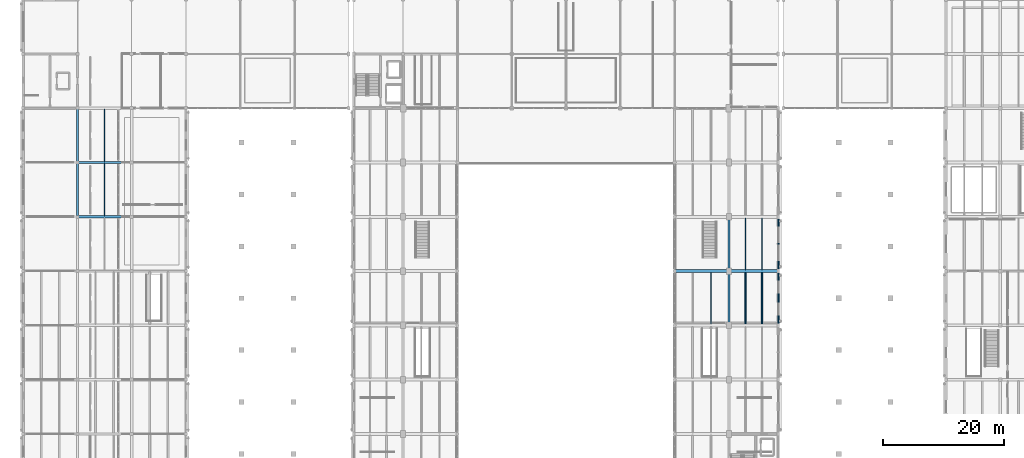
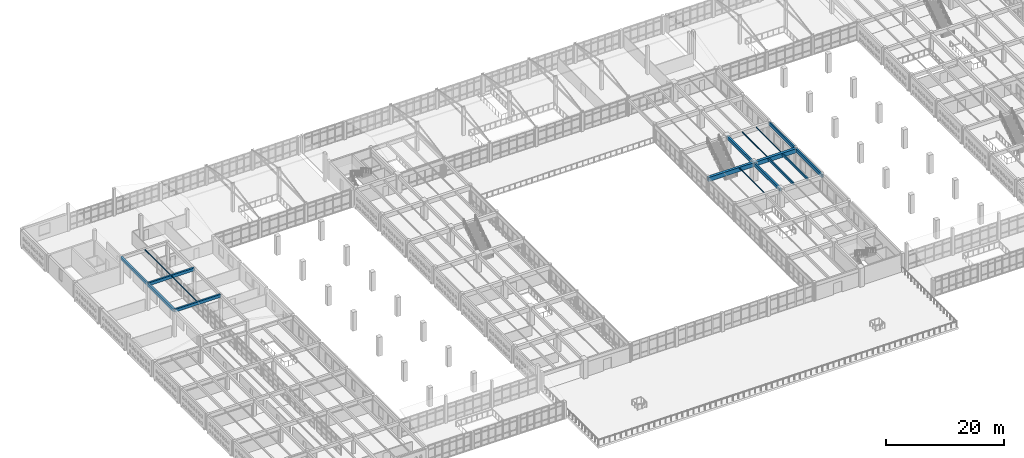
# One storey, part 41 of 156: 17 beams.
"""IFC4 building model written with IfcOpenShell, lengths in metres."""

from ifc_helpers import new_model, si_unit, direction, frame, origin, origin_2d, place, context, subcontext, project, spatial, rectangle, i_section, extrude, material, material_profile, profile_set, type_object, element, save


model = new_model("IFC4")

# Units and contexts
model_context = context("Model", 3, precision=1e-05, world=origin(), true_north=direction((0.0, 1.0)))
body_context = subcontext(model_context, "Body", "Model", "MODEL_VIEW")
ifc_project = project(units=[si_unit("LENGTHUNIT", "METRE"), si_unit("AREAUNIT", "SQUARE_METRE"), si_unit("VOLUMEUNIT", "CUBIC_METRE"), si_unit("PLANEANGLEUNIT", "RADIAN"), si_unit("MASSUNIT", "GRAM", prefix="KILO")], contexts=[model_context])

# Site, building, storey
site_placement = place(None, origin())
site = spatial("IfcSite", under=ifc_project, at=site_placement, CompositionType="ELEMENT")
building_placement = place(site_placement, origin())
building = spatial("IfcBuilding", under=site, at=building_placement, Name="Ornek Quay Market", CompositionType="ELEMENT")
storey_placement = place(building_placement, frame((0.0, 0.0, 4.5)))
storey = spatial("IfcBuildingStorey", under=building, at=storey_placement, Name="L01", CompositionType="ELEMENT", Elevation=4.5)

# Beams
ifc_material_1 = material(Name="Concrete C35/45", Category="concrete")
ifc_material_profile_1 = material_profile(ifc_material_1, rectangle(XDim=0.35009765625, YDim=0.64990234375, at=origin_2d()), Name="RC 350x650", Category="concrete")
ifc_profile_set_1 = profile_set([ifc_material_profile_1], Name="Concrete C35/45")
beam_type_1 = type_object("IfcBeamType", Name="BM-CONC-350x650", PredefinedType="BEAM", material=ifc_profile_set_1)
for number, where, z_axis, x_axis, name in (
    (1, (117.0, 56.0, 3.3349609375), (0.0, 1.0, 0.0), (-1.0, 0.0, 0.0), "Primary beam B-CN1-124"),
    (2, (117.0, 65.0, 3.3349609375), (0.0, 1.0, 0.0), (-1.0, 0.0, 0.0), "Primary beam B-CN1-125"),
):
    element("IfcBeam", number, at=place(storey_placement, frame(where, z_axis=z_axis, x_axis=x_axis)), inside=storey, type_object=beam_type_1, Name=name, PredefinedType="BEAM", context=body_context, shape_type="SweptSolid", body=[
        extrude(rectangle(XDim=0.35009765625, YDim=0.64990234375, at=origin_2d()), origin(), (0.0, 0.0, 1.0), 9.0),
    ])
ifc_material_2 = material(Name="Concrete C40/50", Category="concrete")
ifc_material_profile_2 = material_profile(ifc_material_2, rectangle(XDim=0.5, YDim=0.85009765625, at=origin_2d()), Name="RC 500x850", Category="concrete")
ifc_profile_set_2 = profile_set([ifc_material_profile_2], Name="Concrete C40/50")
beam_type_2 = type_object("IfcBeamType", Name="BM-GAL-500x850", PredefinedType="BEAM", material=ifc_profile_set_2)
beam_1_placement = place(storey_placement, frame((108.0, 65.0, 3.235107421875), z_axis=(1.0, 0.0, 0.0), x_axis=(0.0, 1.0, 0.0)))
element("IfcBeam", 3, at=beam_1_placement, inside=storey, type_object=beam_type_2, Name="Primary beam B-GL1-085", PredefinedType="BEAM", context=body_context, shape_type="SweptSolid", body=[
    extrude(rectangle(XDim=0.5, YDim=0.85009765625, at=origin_2d()), origin(), (0.0, 0.0, 1.0), 9.0),
])
beam_2_placement = place(storey_placement, frame((117.0, 65.0, 3.235107421875), z_axis=(1.0, 0.0, 0.0), x_axis=(0.0, 1.0, 0.0)))
element("IfcBeam", 4, at=beam_2_placement, inside=storey, type_object=beam_type_2, Name="Primary beam B-GL1-086", PredefinedType="BEAM", context=body_context, shape_type="SweptSolid", body=[
    extrude(rectangle(XDim=0.5, YDim=0.85009765625, at=origin_2d()), origin(), (0.0, 0.0, 1.0), 8.199951171875),
])
ifc_material_profile_3 = material_profile(ifc_material_1, rectangle(XDim=0.35009765625, YDim=0.60009765625, at=origin_2d()), Name="RC 350x600", Category="concrete")
ifc_profile_set_3 = profile_set([ifc_material_profile_3], Name="Concrete C35/45")
beam_type_3 = type_object("IfcBeamType", Name="BM-RF-350x600", PredefinedType="BEAM", material=ifc_profile_set_3)
for number, where, z_axis, x_axis, name in (
    (5, (9.0, 74.0, 5.2900390625), (1.0, 0.0, 0.0), (0.0, 1.0, 0.0), "Primary beam B-RF1-012"),
    (6, (9.0, 83.0, 5.2900390625), (1.0, 0.0, 0.0), (0.0, 1.0, 0.0), "Primary beam B-RF1-013"),
    (7, (9.0, 74.0, 5.2900390625), (0.0, 1.0, 0.0), (-1.0, 0.0, 0.0), "Primary beam B-RF1-016"),
    (8, (9.0, 83.0, 5.2900390625), (0.0, 1.0, 0.0), (-1.0, 0.0, 0.0), "Primary beam B-RF1-017"),
):
    element("IfcBeam", number, at=place(storey_placement, frame(where, z_axis=z_axis, x_axis=x_axis)), inside=storey, type_object=beam_type_3, Name=name, PredefinedType="BEAM", context=body_context, shape_type="SweptSolid", body=[
        extrude(rectangle(XDim=0.35009765625, YDim=0.60009765625, at=origin_2d()), origin(), (0.0, 0.0, 1.0), 9.0),
    ])
ifc_material_profile_4 = material_profile(ifc_material_1, rectangle(XDim=0.25, YDim=0.449951171875, at=origin_2d()), Name="RC 250x450", Category="concrete")
ifc_profile_set_4 = profile_set([ifc_material_profile_4], Name="Concrete C35/45")
beam_type_4 = type_object("IfcBeamType", Name="BM-SEC-250x450", PredefinedType="JOIST", material=ifc_profile_set_4)
for number, where, z_axis, x_axis, name in (
    (9, (119.7333984375, 56.241943359375, 3.43505859375), (0.0, 1.0, 0.0), (-1.0, 0.0, 0.0), "Secondary joist B-SC3-033"),
    (10, (122.466796875, 56.241943359375, 3.43505859375), (0.0, 1.0, 0.0), (-1.0, 0.0, 0.0), "Secondary joist B-SC3-034"),
):
    element("IfcBeam", number, at=place(storey_placement, frame(where, z_axis=z_axis, x_axis=x_axis)), inside=storey, type_object=beam_type_4, Name=name, PredefinedType="JOIST", context=body_context, shape_type="SweptSolid", body=[
        extrude(rectangle(XDim=0.25, YDim=0.449951171875, at=origin_2d()), origin(), (0.0, 0.0, 1.0), 8.51611328125),
    ])
ifc_material_profile_5 = material_profile(ifc_material_1, rectangle(XDim=0.280029296875, YDim=0.699951171875, at=origin_2d()), Name="RC 280x700", Category="concrete")
ifc_profile_set_5 = profile_set([ifc_material_profile_5], Name="Concrete C35/45")
beam_type_5 = type_object("IfcBeamType", Name="BM-SPN-280x700", PredefinedType="SPANDREL", material=ifc_profile_set_5)
for number, where, z_axis, x_axis, name in (
    (11, (125.199951171875, 56.0, 3.31005859375), (0.0, 1.0, 0.0), (-1.0, 0.0, 0.0), "Primary beam B-SP2-083"),
    (12, (125.199951171875, 65.0, 3.31005859375), (0.0, 1.0, 0.0), (-1.0, 0.0, 0.0), "Primary beam B-SP2-084"),
):
    element("IfcBeam", number, at=place(storey_placement, frame(where, z_axis=z_axis, x_axis=x_axis)), inside=storey, type_object=beam_type_5, Name=name, PredefinedType="SPANDREL", context=body_context, shape_type="SweptSolid", body=[
        extrude(rectangle(XDim=0.280029296875, YDim=0.699951171875, at=origin_2d()), origin(), (0.0, 0.0, 1.0), 9.0),
    ])
ifc_material_3 = material(Name="Steel S355", Category="steel")
ifc_material_profile_6 = material_profile(ifc_material_3, i_section(OverallWidth=0.10009765625, OverallDepth=0.199951171875, WebThickness=0.005615234375, FlangeThickness=0.008544921875, FilletRadius=0.011962890625, at=origin_2d()), Name="IPE 200", Category="steel")
ifc_profile_set_6 = profile_set([ifc_material_profile_6], Name="Steel S355")
beam_type_6 = type_object("IfcBeamType", Name="BM-STL-IPE200", PredefinedType="JOIST", material=ifc_profile_set_6)
beam_3_placement = place(storey_placement, frame((13.5, 83.1669921875, 5.489990234375), z_axis=(0.0, 1.0, 0.0), x_axis=(-1.0, 0.0, 0.0)))
element("IfcBeam", 13, at=beam_3_placement, inside=storey, type_object=beam_type_6, Name="Secondary joist SB-02-014", PredefinedType="JOIST", context=body_context, shape_type="SweptSolid", body=[
    extrude(i_section(OverallWidth=0.10009765625, OverallDepth=0.199951171875, WebThickness=0.005615234375, FlangeThickness=0.008544921875, FilletRadius=0.011962890625, at=origin_2d()), origin(), (0.0, 0.0, 1.0), 8.666015625),
])
for number, where, z_axis, x_axis, name in (
    (14, (114.0, 56.241943359375, 3.56005859375), (0.0, 1.0, 0.0), (-1.0, 0.0, 0.0), "Secondary joist SB-02-030"),
    (15, (119.7333984375, 65.241943359375, 3.56005859375), (0.0, 1.0, 0.0), (-1.0, 0.0, 0.0), "Secondary joist SB-02-035"),
    (16, (122.466796875, 65.241943359375, 3.56005859375), (0.0, 1.0, 0.0), (-1.0, 0.0, 0.0), "Secondary joist SB-02-036"),
):
    element("IfcBeam", number, at=place(storey_placement, frame(where, z_axis=z_axis, x_axis=x_axis)), inside=storey, type_object=beam_type_6, Name=name, PredefinedType="JOIST", context=body_context, shape_type="SweptSolid", body=[
        extrude(i_section(OverallWidth=0.10009765625, OverallDepth=0.199951171875, WebThickness=0.005615234375, FlangeThickness=0.008544921875, FilletRadius=0.011962890625, at=origin_2d()), origin(), (0.0, 0.0, 1.0), 8.51611328125),
    ])
ifc_material_profile_7 = material_profile(ifc_material_3, i_section(OverallWidth=0.110107421875, OverallDepth=0.219970703125, WebThickness=0.005859375, FlangeThickness=0.00927734375, FilletRadius=0.011962890625, at=origin_2d()), Name="IPE 220", Category="steel")
ifc_profile_set_7 = profile_set([ifc_material_profile_7], Name="Steel S355")
beam_type_7 = type_object("IfcBeamType", Name="BM-STL-IPE220", PredefinedType="JOIST", material=ifc_profile_set_7)
beam_4_placement = place(storey_placement, frame((13.5, 74.1669921875, 5.47998046875), z_axis=(0.0, 1.0, 0.0), x_axis=(-1.0, 0.0, 0.0)))
element("IfcBeam", 17, at=beam_4_placement, inside=storey, type_object=beam_type_7, Name="Secondary joist SB-03-013", PredefinedType="JOIST", context=body_context, shape_type="SweptSolid", body=[
    extrude(i_section(OverallWidth=0.110107421875, OverallDepth=0.219970703125, WebThickness=0.005859375, FlangeThickness=0.00927734375, FilletRadius=0.011962890625, at=origin_2d()), origin(), (0.0, 0.0, 1.0), 8.666015625),
])

save(model, "model.ifc")
